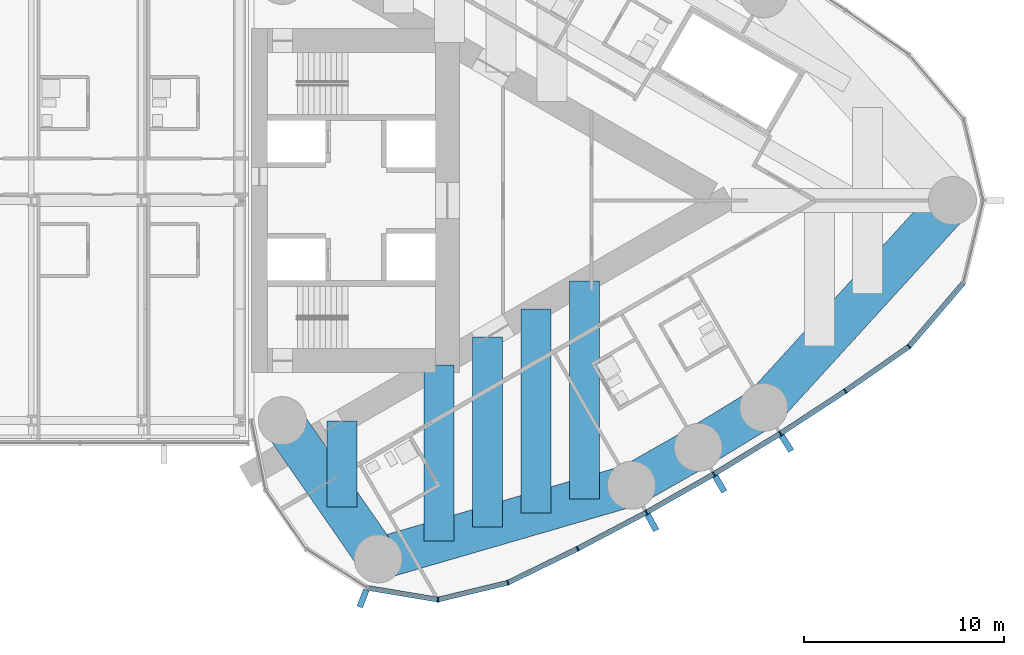
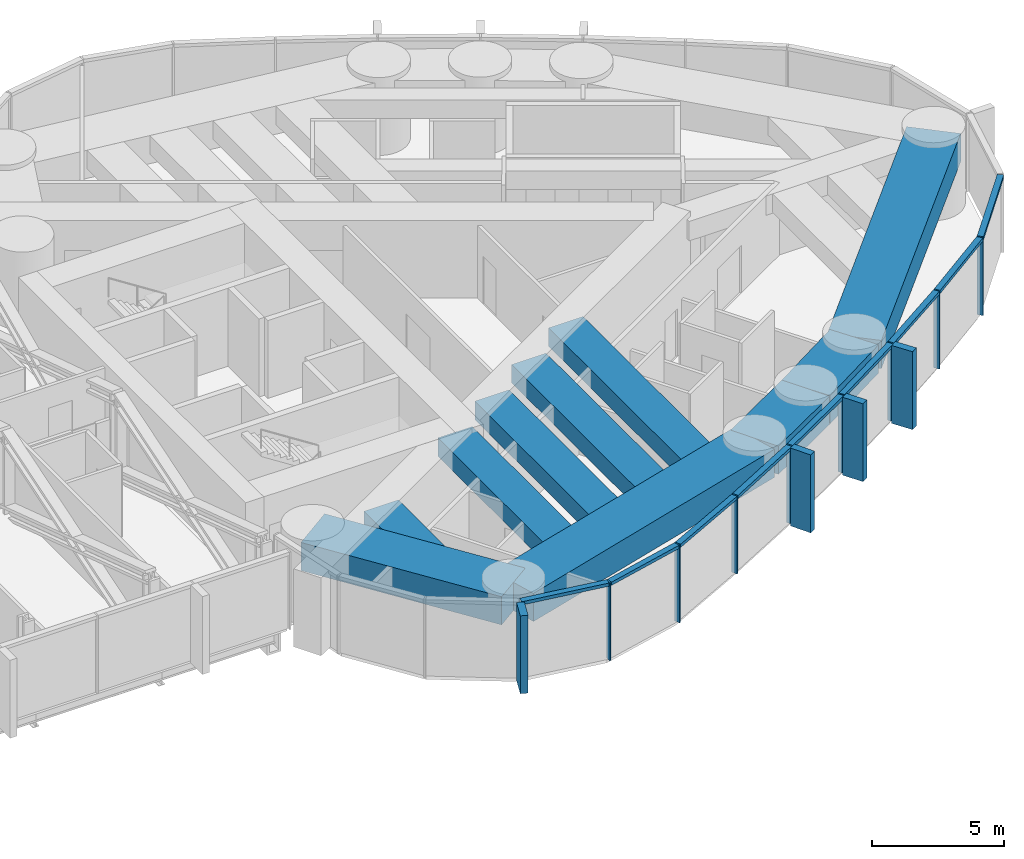
# One storey, part 9 of 24: 21 members, 10 beams, 1 element without a shape of its own.
"""IFC4 building model written with IfcOpenShell, lengths in metres."""

import ifcopenshell
import ifcopenshell.guid

model = None  # the IFC model being written
_history = None  # IfcOwnerHistory: only IFC2X3 demands one
_inside = {}  # id of a spatial element -> (the spatial element, [elements in it])
_under = {}  # id of a project, library or spatial element -> (it, [spatial elements below it])
_declared = {}  # id of a project -> (the project, [libraries it declares])
_typed = {}  # id of a type object -> (the type object, [elements of that type])
_made_of = {}  # id of a material, layer set ... -> (it, [elements and type objects made of it])


def new_model(schema):
    """Start an empty IFC model of exactly this schema.

    Asked for "IFC4X3", IfcOpenShell would pick the latest addendum, in which some entities
    have other attributes; the version numbers below select the first issue.
    IFC2X3 requires an IfcOwnerHistory on every rooted entity: one is made here for all.
    """
    global model, _history
    if schema == "IFC4X3":
        model = ifcopenshell.file(schema_version=(4, 3, 0, 0))
    else:
        model = ifcopenshell.file(schema=schema)
    _inside.clear()
    _under.clear()
    _declared.clear()
    _typed.clear()
    _made_of.clear()
    _history = None
    if model.schema == "IFC2X3":
        org = make("IfcOrganization", Name="unknown")
        user = make(
            "IfcPersonAndOrganization",
            ThePerson=make("IfcPerson", FamilyName="unknown"),
            TheOrganization=org,
        )
        app = make(
            "IfcApplication",
            ApplicationDeveloper=org,
            Version="unknown",
            ApplicationFullName="unknown",
            ApplicationIdentifier="unknown",
        )
        _history = make(
            "IfcOwnerHistory",
            OwningUser=user,
            OwningApplication=app,
            ChangeAction="ADDED",
            CreationDate=0,
        )
    return model


def make(cls, **values):
    """One entity of the class cls with the attributes given. An attribute that is None is left unset."""
    return model.create_entity(
        cls, **{name: value for name, value in values.items() if value is not None}
    )


def rooted(cls, **values):
    """An entity with a GlobalId (a new one), such as an element, a storey or a relation."""
    return make(cls, GlobalId=ifcopenshell.guid.new(), OwnerHistory=_history, **values)


def si_unit(unit_type, name, prefix=None):
    """IfcSIUnit, for example si_unit("LENGTHUNIT", "METRE", prefix="MILLI")."""
    return make("IfcSIUnit", UnitType=unit_type, Prefix=prefix, Name=name)


def assignment(units):
    """IfcUnitAssignment: the units of a project."""
    return None if units is None else make("IfcUnitAssignment", Units=units)


def point(xyz):
    """IfcCartesianPoint."""
    return None if xyz is None else make("IfcCartesianPoint", Coordinates=xyz)


def direction(xyz):
    """IfcDirection."""
    return None if xyz is None else make("IfcDirection", DirectionRatios=xyz)


def frame(location, z_axis=None, x_axis=None):
    """IfcAxis2Placement3D, a coordinate frame: its origin and axes. An axis left out is left unset."""
    return make(
        "IfcAxis2Placement3D",
        Location=point(location),
        Axis=direction(z_axis),
        RefDirection=direction(x_axis),
    )


def frame_2d(location, x_axis=None):
    """IfcAxis2Placement2D, a coordinate frame in the plane: its origin and x axis."""
    return make(
        "IfcAxis2Placement2D", Location=point(location), RefDirection=direction(x_axis)
    )


def origin():
    """The frame at (0, 0, 0) with its axes left unset."""
    return frame((0.0, 0.0, 0.0))


def origin_2d():
    """The frame at (0, 0) in the plane with its x axis left unset."""
    return frame_2d((0.0, 0.0))


def place(relative_to, where):
    """IfcLocalPlacement: puts the frame where relative to a parent placement (None: the world)."""
    return make(
        "IfcLocalPlacement", PlacementRelTo=relative_to, RelativePlacement=where
    )


def context(
    kind, dimensions, precision=None, world=None, true_north=None, identifier=None
):
    """IfcGeometricRepresentationContext, for example the 3D "Model" context."""
    return make(
        "IfcGeometricRepresentationContext",
        ContextIdentifier=identifier,
        ContextType=kind,
        CoordinateSpaceDimension=dimensions,
        Precision=precision,
        WorldCoordinateSystem=world,
        TrueNorth=true_north,
    )


def subcontext(parent, identifier, kind, view, scale=None):
    """IfcGeometricRepresentationSubContext, for example "Body" below "Model"."""
    return make(
        "IfcGeometricRepresentationSubContext",
        ContextIdentifier=identifier,
        ContextType=kind,
        ParentContext=parent,
        TargetScale=scale,
        TargetView=view,
    )


def project(units=None, contexts=None):
    """IfcProject with its units and contexts."""
    return rooted(
        "IfcProject",
        Name="project",
        RepresentationContexts=contexts,
        UnitsInContext=assignment(units),
    )


def spatial(cls, under=None, at=None, **own):
    """A site, building, storey or space (cls), placed at a placement, below another one or the project."""
    s = rooted(cls, ObjectPlacement=at, **own)
    if under is not None:
        _under.setdefault(under.id(), (under, []))[1].append(s)
    return s


def profile(cls, at=None, kind="AREA", **sizes):
    """A parametric profile (cls). Its sizes go by their IFC names, for example OverallWidth=200.0."""
    return make(cls, ProfileType=kind, Position=at, **sizes)


def rectangle(**sizes):
    """IfcRectangleProfileDef."""
    return profile("IfcRectangleProfileDef", **sizes)


def extrude(swept, where, along, depth):
    """IfcExtrudedAreaSolid: the profile swept, set in the frame where, extruded along a direction by depth."""
    return make(
        "IfcExtrudedAreaSolid",
        SweptArea=swept,
        Position=where,
        ExtrudedDirection=direction(along),
        Depth=depth,
    )


def shape(context_of_items, identifier, shape_type, items):
    """IfcShapeRepresentation: the items that make up one representation, for example the "Body"."""
    return make(
        "IfcShapeRepresentation",
        ContextOfItems=context_of_items,
        RepresentationIdentifier=identifier,
        RepresentationType=shape_type,
        Items=items,
    )


def material(Name=None, Category=None):
    """IfcMaterial."""
    return make("IfcMaterial", Name=Name, Category=Category)


def material_profile(
    of_material, cross_section, Name=None, Category=None, Priority=None
):
    """IfcMaterialProfile: a cross section and its material."""
    return make(
        "IfcMaterialProfile",
        Name=Name,
        Material=of_material,
        Profile=cross_section,
        Priority=Priority,
        Category=Category,
    )


def profile_set(profiles, Name=None, composite=None):
    """IfcMaterialProfileSet."""
    return make(
        "IfcMaterialProfileSet",
        Name=Name,
        MaterialProfiles=profiles,
        CompositeProfile=composite,
    )


def made_of(thing, what):
    """Note that an element or type object is made of a material, layer set ...; save() writes the relation."""
    if what is not None:
        _made_of.setdefault(what.id(), (what, []))[1].append(thing)
    return thing


def type_object(cls, material=None, **own):
    """A type object (cls), such as IfcWallType, which elements share."""
    return made_of(rooted(cls, **own), material)


def element(
    cls,
    number,
    at=None,
    inside=None,
    cuts=None,
    type_object=None,
    material=None,
    context=None,
    identifier="Body",
    shape_type=None,
    held_by="IfcProductDefinitionShape",
    body=None,
    shapes=None,
    **own,
):
    """One element of the class cls, such as IfcWall. Its Tag is "e" and its number.

    at: its placement. inside: the storey or other place that contains it. cuts: it is an
    opening in that element (IfcRelVoidsElement). A single representation is given by context,
    identifier, shape_type and body (its items); several are given by shapes. held_by: the class
    of the entity that holds the representations. save() writes the other relations.
    """
    e = rooted(cls, Tag="e%d" % number, ObjectPlacement=at, **own)
    if body is not None:
        shapes = [shape(context, identifier, shape_type, body)]
    if shapes is not None:
        e.Representation = make(held_by, Representations=shapes)
    if inside is not None:
        _inside.setdefault(inside.id(), (inside, []))[1].append(e)
    if cuts is not None:
        rooted(
            "IfcRelVoidsElement", RelatingBuildingElement=cuts, RelatedOpeningElement=e
        )
    if type_object is not None:
        _typed.setdefault(type_object.id(), (type_object, []))[1].append(e)
    return made_of(e, material)


def aggregate(whole, parts):
    """IfcRelAggregates: a whole, such as a stair, and the parts it consists of."""
    return rooted("IfcRelAggregates", RelatingObject=whole, RelatedObjects=parts)


def save(model, path):
    """Write the relations noted so far, then the file.

    IfcRelAggregates (storeys below a building ...), IfcRelContainedInSpatialStructure (elements
    in a storey), IfcRelDefinesByType, IfcRelAssociatesMaterial and IfcRelDeclares: one each for
    every whole, place, type object, material and project.
    """
    for whole, parts in _under.values():
        aggregate(whole, parts)
    for where, things in _inside.values():
        rooted(
            "IfcRelContainedInSpatialStructure",
            RelatedElements=things,
            RelatingStructure=where,
        )
    for kind, things in _typed.values():
        rooted("IfcRelDefinesByType", RelatedObjects=things, RelatingType=kind)
    for what, things in _made_of.values():
        rooted("IfcRelAssociatesMaterial", RelatedObjects=things, RelatingMaterial=what)
    for by, libraries in _declared.values():
        rooted("IfcRelDeclares", RelatingContext=by, RelatedDefinitions=libraries)
    model.write(path)


model = new_model("IFC4")

# Units and contexts
model_context = context("Model", 3, precision=1e-05, world=origin(), true_north=direction((0.0, 1.0)))
body_context = subcontext(model_context, "Body", "Model", "MODEL_VIEW")
ifc_project = project(units=[si_unit("LENGTHUNIT", "METRE"), si_unit("AREAUNIT", "SQUARE_METRE"), si_unit("VOLUMEUNIT", "CUBIC_METRE"), si_unit("PLANEANGLEUNIT", "RADIAN"), si_unit("MASSUNIT", "GRAM", prefix="KILO")], contexts=[model_context])

# Site, building, storey
site_placement = place(None, origin())
site = spatial("IfcSite", under=ifc_project, at=site_placement, CompositionType="ELEMENT")
building_placement = place(site_placement, origin())
building = spatial("IfcBuilding", under=site, at=building_placement, Name="Lancet Gate Hotel", CompositionType="ELEMENT")
storey_placement = place(building_placement, frame((0.0, 0.0, 244.10009765625)))
storey = spatial("IfcBuildingStorey", under=building, at=storey_placement, Name="L65", CompositionType="ELEMENT", Elevation=244.10009765625)

# Curtain wall, members
ifc_material_1 = material(Name="Aluminium curtain wall", Category="aluminium")
curtain_wall_type = type_object("IfcCurtainWallType", Name="Tower unitised curtain wall", PredefinedType="USERDEFINED", material=ifc_material_1)
curtain_wall_placement = place(storey_placement, origin())
curtain_wall = element("IfcCurtainWall", 1, at=curtain_wall_placement, inside=storey, type_object=curtain_wall_type, Name="T2 L65 curtain wall 1", ObjectType="UNITISED CURTAIN WALL", PredefinedType="USERDEFINED")
ifc_material_2 = material(Name="Aluminium mullion", Category="aluminium")
ifc_material_profile_1 = material_profile(ifc_material_2, rectangle(XDim=0.06494140625, YDim=0.25, at=origin_2d()), Name="MULLION 65x250")
ifc_profile_set_1 = profile_set([ifc_material_profile_1], Name="Aluminium mullion")
member_type_1 = type_object("IfcMemberType", Name="Aluminium mullion 65x250", PredefinedType="MULLION", material=ifc_profile_set_1)
member_1_placement = place(storey_placement, frame((36.826171875, -19.942138671875, 0.0), z_axis=(0.0, 0.0, 1.0), x_axis=(0.999342744911, 0.03625021647, 0.0)))
member_1 = element("IfcMember", 2, at=member_1_placement, type_object=member_type_1, Name="T2 L65 curtain wall 1 mullion 5", PredefinedType="MULLION", context=body_context, shape_type="SweptSolid", body=[
    extrude(rectangle(XDim=0.06494140625, YDim=0.25, at=origin_2d()), origin(), (0.0, 0.0, 1.0), 3.599853515625),
])
member_2_placement = place(storey_placement, frame((40.3173828125, -19.098388671875, 0.0), z_axis=(0.0, 0.0, 1.0), x_axis=(0.939483740419, 0.342593493061, 0.0)))
member_2 = element("IfcMember", 3, at=member_2_placement, type_object=member_type_1, Name="T2 L65 curtain wall 1 mullion 6", PredefinedType="MULLION", context=body_context, shape_type="SweptSolid", body=[
    extrude(rectangle(XDim=0.06494140625, YDim=0.25, at=origin_2d()), origin(), (0.0, 0.0, 1.0), 3.599853515625),
])
member_3_placement = place(storey_placement, frame((43.80810546875, -17.396240234375, 0.0), z_axis=(0.0, 0.0, 1.0), x_axis=(0.891832977257, 0.452364831389, 0.0)))
member_3 = element("IfcMember", 4, at=member_3_placement, type_object=member_type_1, Name="T2 L65 curtain wall 1 mullion 7", PredefinedType="MULLION", context=body_context, shape_type="SweptSolid", body=[
    extrude(rectangle(XDim=0.06494140625, YDim=0.25, at=origin_2d()), origin(), (0.0, 0.0, 1.0), 3.599853515625),
])
member_4_placement = place(storey_placement, frame((47.24365234375, -15.585205078125, 0.0), z_axis=(0.0, 0.0, 1.0), x_axis=(0.877194589488, 0.480135035352, 0.0)))
member_4 = element("IfcMember", 5, at=member_4_placement, type_object=member_type_1, Name="T2 L65 curtain wall 1 mullion 8", PredefinedType="MULLION", context=body_context, shape_type="SweptSolid", body=[
    extrude(rectangle(XDim=0.06494140625, YDim=0.25, at=origin_2d()), origin(), (0.0, 0.0, 1.0), 3.599853515625),
])
member_5_placement = place(storey_placement, frame((50.62060546875, -13.667236328125, 0.0), z_axis=(0.0, 0.0, 1.0), x_axis=(0.861691755738, 0.507432082247, 0.0)))
member_5 = element("IfcMember", 6, at=member_5_placement, type_object=member_type_1, Name="T2 L65 curtain wall 1 mullion 9", PredefinedType="MULLION", context=body_context, shape_type="SweptSolid", body=[
    extrude(rectangle(XDim=0.06494140625, YDim=0.25, at=origin_2d()), origin(), (0.0, 0.0, 1.0), 3.599853515625),
])
member_6_placement = place(storey_placement, frame((53.935791015625, -11.644287109375, 0.0), z_axis=(0.0, 0.0, 1.0), x_axis=(0.845339753513, 0.534229071777, 0.0)))
member_6 = element("IfcMember", 7, at=member_6_placement, type_object=member_type_1, Name="T2 L65 curtain wall 1 mullion 10", PredefinedType="MULLION", context=body_context, shape_type="SweptSolid", body=[
    extrude(rectangle(XDim=0.06494140625, YDim=0.25, at=origin_2d()), origin(), (0.0, 0.0, 1.0), 3.599853515625),
])
member_7_placement = place(storey_placement, frame((57.185791015625, -9.518310546875, 0.0), z_axis=(0.0, 0.0, 1.0), x_axis=(0.828154697184, 0.560499596371, 0.0)))
member_7 = element("IfcMember", 8, at=member_7_placement, type_object=member_type_1, Name="T2 L65 curtain wall 1 mullion 11", PredefinedType="MULLION", context=body_context, shape_type="SweptSolid", body=[
    extrude(rectangle(XDim=0.06494140625, YDim=0.25, at=origin_2d()), origin(), (0.0, 0.0, 1.0), 3.599853515625),
])
member_8_placement = place(storey_placement, frame((60.367431640625, -7.291259765625, 0.0), z_axis=(0.0, 0.0, 1.0), x_axis=(0.737323173512, 0.675540182226, 0.0)))
member_8 = element("IfcMember", 9, at=member_8_placement, type_object=member_type_1, Name="T2 L65 curtain wall 1 mullion 12", PredefinedType="MULLION", context=body_context, shape_type="SweptSolid", body=[
    extrude(rectangle(XDim=0.06494140625, YDim=0.25, at=origin_2d()), origin(), (0.0, 0.0, 1.0), 3.599853515625),
])
ifc_material_3 = material(Name="Aluminium transom", Category="aluminium")
ifc_material_profile_2 = material_profile(ifc_material_3, rectangle(XDim=0.25, YDim=0.14990234375, at=origin_2d()), Name="TRANSOM 250x150")
ifc_profile_set_2 = profile_set([ifc_material_profile_2], Name="Aluminium transom")
member_type_2 = type_object("IfcMemberType", Name="Aluminium transom 250x150", PredefinedType="USERDEFINED", material=ifc_profile_set_2)
member_9_placement = place(storey_placement, frame((33.315185546875, -19.35888671875, 3.52490234375), z_axis=(0.986483584545, -0.163860115412, 0.0), x_axis=(0.163860115412, 0.986483584545, 0.0)))
member_9 = element("IfcMember", 10, at=member_9_placement, type_object=member_type_2, Name="T2 L65 curtain wall 1 transom 4", ObjectType="TRANSOM", PredefinedType="USERDEFINED", context=body_context, shape_type="SweptSolid", body=[
    extrude(rectangle(XDim=0.25, YDim=0.14990234375, at=origin_2d()), origin(), (0.0, 0.0, 1.0), 3.526611328125),
])
member_10_placement = place(storey_placement, frame((36.85791015625, -19.9345703125, 3.52490234375), z_axis=(0.972002653858, 0.234969872307, 0.0), x_axis=(-0.234969872307, 0.972002653858, 0.0)))
member_10 = element("IfcMember", 11, at=member_10_placement, type_object=member_type_2, Name="T2 L65 curtain wall 1 transom 5", ObjectType="TRANSOM", PredefinedType="USERDEFINED", context=body_context, shape_type="SweptSolid", body=[
    extrude(rectangle(XDim=0.25, YDim=0.14990234375, at=origin_2d()), origin(), (0.0, 0.0, 1.0), 3.5263671875),
])
member_11_placement = place(storey_placement, frame((40.346435546875, -19.084228515625, 3.52490234375), z_axis=(0.898820051991, 0.438317823206, 0.0), x_axis=(-0.438317823206, 0.898820051991, 0.0)))
member_11 = element("IfcMember", 12, at=member_11_placement, type_object=member_type_2, Name="T2 L65 curtain wall 1 transom 6", ObjectType="TRANSOM", PredefinedType="USERDEFINED", context=body_context, shape_type="SweptSolid", body=[
    extrude(rectangle(XDim=0.25, YDim=0.14990234375, at=origin_2d()), origin(), (0.0, 0.0, 1.0), 3.81884765625),
])
member_12_placement = place(storey_placement, frame((43.836669921875, -17.381103515625, 3.52490234375), z_axis=(0.884618491031, 0.466315478325, 0.0), x_axis=(-0.466315478325, 0.884618491031, 0.0)))
member_12 = element("IfcMember", 13, at=member_12_placement, type_object=member_type_2, Name="T2 L65 curtain wall 1 transom 7", ObjectType="TRANSOM", PredefinedType="USERDEFINED", context=body_context, shape_type="SweptSolid", body=[
    extrude(rectangle(XDim=0.25, YDim=0.14990234375, at=origin_2d()), origin(), (0.0, 0.0, 1.0), 3.81884765625),
])
member_13_placement = place(storey_placement, frame((47.271728515625, -15.569091796875, 3.52490234375), z_axis=(0.869562011924, 0.493823761496, 0.0), x_axis=(-0.493823761496, 0.869562011924, 0.0)))
member_13 = element("IfcMember", 14, at=member_13_placement, type_object=member_type_2, Name="T2 L65 curtain wall 1 transom 8", ObjectType="TRANSOM", PredefinedType="USERDEFINED", context=body_context, shape_type="SweptSolid", body=[
    extrude(rectangle(XDim=0.25, YDim=0.14990234375, at=origin_2d()), origin(), (0.0, 0.0, 1.0), 3.818603515625),
])
member_14_placement = place(storey_placement, frame((50.648193359375, -13.650390625, 3.52490234375), z_axis=(0.853638798527, 0.520865435261, 0.0), x_axis=(-0.520865435261, 0.853638798527, 0.0)))
member_14 = element("IfcMember", 15, at=member_14_placement, type_object=member_type_2, Name="T2 L65 curtain wall 1 transom 9", ObjectType="TRANSOM", PredefinedType="USERDEFINED", context=body_context, shape_type="SweptSolid", body=[
    extrude(rectangle(XDim=0.25, YDim=0.14990234375, at=origin_2d()), origin(), (0.0, 0.0, 1.0), 3.818603515625),
])
member_15_placement = place(storey_placement, frame((53.962890625, -11.62646484375, 3.52490234375), z_axis=(0.836858089593, 0.547419891749, 0.0), x_axis=(-0.547419891749, 0.836858089593, 0.0)))
member_15 = element("IfcMember", 16, at=member_15_placement, type_object=member_type_2, Name="T2 L65 curtain wall 1 transom 10", ObjectType="TRANSOM", PredefinedType="USERDEFINED", context=body_context, shape_type="SweptSolid", body=[
    extrude(rectangle(XDim=0.25, YDim=0.14990234375, at=origin_2d()), origin(), (0.0, 0.0, 1.0), 3.818603515625),
])
member_16_placement = place(storey_placement, frame((57.21240234375, -9.499755859375, 3.52490234375), z_axis=(0.819255948852, 0.573428016642, 0.0), x_axis=(-0.573428016642, 0.819255948852, 0.0)))
member_16 = element("IfcMember", 17, at=member_16_placement, type_object=member_type_2, Name="T2 L65 curtain wall 1 transom 11", ObjectType="TRANSOM", PredefinedType="USERDEFINED", context=body_context, shape_type="SweptSolid", body=[
    extrude(rectangle(XDim=0.25, YDim=0.14990234375, at=origin_2d()), origin(), (0.0, 0.0, 1.0), 3.818603515625),
])
member_17_placement = place(storey_placement, frame((60.388427734375, -7.2666015625, 3.52490234375), z_axis=(0.650592500186, 0.759427019997, 0.0), x_axis=(-0.759427019997, 0.650592500186, 0.0)))
member_17 = element("IfcMember", 18, at=member_17_placement, type_object=member_type_2, Name="T2 L65 curtain wall 1 transom 12", ObjectType="TRANSOM", PredefinedType="USERDEFINED", context=body_context, shape_type="SweptSolid", body=[
    extrude(rectangle(XDim=0.25, YDim=0.14990234375, at=origin_2d()), origin(), (0.0, 0.0, 1.0), 4.1455078125),
])

# Beams
ifc_material_4 = material(Name="Concrete C50/60", Category="concrete")
ifc_material_profile_3 = material_profile(ifc_material_4, rectangle(XDim=2.10009765625, YDim=1.300048828125, at=origin_2d()), Name="RC 2100x1300")
ifc_profile_set_3 = profile_set([ifc_material_profile_3], Name="Concrete C50/60")
beam_type_1 = type_object("IfcBeamType", Name="Edge beam RC 2100x1300", PredefinedType="SPANDREL", material=ifc_profile_set_3)
beam_1_placement = place(storey_placement, frame((33.837158203125, -17.906005859375, 2.699951171875), z_axis=(0.960258384252, 0.279112585659, 0.0), x_axis=(-0.279112585659, 0.960258384252, 0.0)))
element("IfcBeam", 19, at=beam_1_placement, inside=storey, type_object=beam_type_1, Name="T2 edge beam EB1 L65", PredefinedType="SPANDREL", context=body_context, shape_type="SweptSolid", body=[
    extrude(rectangle(XDim=2.10009765625, YDim=1.300048828125, at=origin_2d()), origin(), (0.0, 0.0, 1.0), 13.18603515625),
])
beam_2_placement = place(storey_placement, frame((46.499267578125, -14.2255859375, 2.699951171875), z_axis=(0.869560321562, 0.493826738001, 0.0), x_axis=(-0.493826738001, 0.869560321562, 0.0)))
element("IfcBeam", 20, at=beam_2_placement, inside=storey, type_object=beam_type_1, Name="T2 edge beam EB1 L65", PredefinedType="SPANDREL", context=body_context, shape_type="SweptSolid", body=[
    extrude(rectangle(XDim=2.10009765625, YDim=1.300048828125, at=origin_2d()), origin(), (0.0, 0.0, 1.0), 3.8349609375),
])
beam_3_placement = place(storey_placement, frame((49.833984375, -12.331787109375, 2.699951171875), z_axis=(0.853604257265, 0.520922040212, 0.0), x_axis=(-0.520922040212, 0.853604257265, 0.0)))
element("IfcBeam", 21, at=beam_3_placement, inside=storey, type_object=beam_type_1, Name="T2 edge beam EB1 L65", PredefinedType="SPANDREL", context=body_context, shape_type="SweptSolid", body=[
    extrude(rectangle(XDim=2.10009765625, YDim=1.300048828125, at=origin_2d()), origin(), (0.0, 0.0, 1.0), 3.835205078125),
])
beam_4_placement = place(storey_placement, frame((53.107666015625, -10.333984375, 2.699951171875), z_axis=(0.674209372947, 0.738540263919, 0.0), x_axis=(-0.738540263919, 0.674209372947, 0.0)))
element("IfcBeam", 22, at=beam_4_placement, inside=storey, type_object=beam_type_1, Name="T2 edge beam EB1 L65", PredefinedType="SPANDREL", context=body_context, shape_type="SweptSolid", body=[
    extrude(rectangle(XDim=2.10009765625, YDim=1.300048828125, at=origin_2d()), origin(), (0.0, 0.0, 1.0), 13.992431640625),
])
beam_5_placement = place(storey_placement, frame((33.837158203125, -17.906005859375, 2.699951171875), z_axis=(-0.569694852599, 0.821856298219, 0.0), x_axis=(-0.821856298219, -0.569694852599, 0.0)))
element("IfcBeam", 23, at=beam_5_placement, inside=storey, type_object=beam_type_1, Name="T2 edge beam EB1 L65", PredefinedType="SPANDREL", context=body_context, shape_type="SweptSolid", body=[
    extrude(rectangle(XDim=2.10009765625, YDim=1.300048828125, at=origin_2d()), origin(), (0.0, 0.0, 1.0), 8.40283203125),
])

# Member
ifc_material_5 = material(Name="Precast concrete C50/60", Category="concrete")
ifc_material_profile_4 = material_profile(ifc_material_5, rectangle(XDim=0.300048828125, YDim=0.89990234375, at=origin_2d()), Name="FIN 300x900")
ifc_profile_set_4 = profile_set([ifc_material_profile_4], Name="Precast concrete C50/60")
member_type_3 = type_object("IfcMemberType", Name="Exposed concrete fin 300x900", PredefinedType="USERDEFINED", material=ifc_profile_set_4)
member_18_placement = place(storey_placement, frame((33.07763671875, -19.890625, 0.0), z_axis=(0.0, 0.0, 1.0), x_axis=(0.93394321776, -0.357421412343, 0.0)))
member_18 = element("IfcMember", 24, at=member_18_placement, type_object=member_type_3, Name="T2 L65 curtain wall 1 fin 4", ObjectType="FIN", PredefinedType="USERDEFINED", context=body_context, shape_type="SweptSolid", body=[
    extrude(rectangle(XDim=0.300048828125, YDim=0.89990234375, at=origin_2d()), origin(), (0.0, 0.0, 1.0), 3.599853515625),
])

member_19_placement = place(storey_placement, frame((47.51953125, -16.089599609375, 0.0), z_axis=(0.0, 0.0, 1.0), x_axis=(0.877194589488, 0.480135035352, 0.0)))
member_19 = element("IfcMember", 25, at=member_19_placement, type_object=member_type_3, Name="T2 L65 curtain wall 1 fin 8", ObjectType="FIN", PredefinedType="USERDEFINED", context=body_context, shape_type="SweptSolid", body=[
    extrude(rectangle(XDim=0.300048828125, YDim=0.89990234375, at=origin_2d()), origin(), (0.0, 0.0, 1.0), 3.599853515625),
])

member_20_placement = place(storey_placement, frame((50.912353515625, -14.162841796875, 0.0), z_axis=(0.0, 0.0, 1.0), x_axis=(0.861691755738, 0.507432082247, 0.0)))
member_20 = element("IfcMember", 26, at=member_20_placement, type_object=member_type_3, Name="T2 L65 curtain wall 1 fin 9", ObjectType="FIN", PredefinedType="USERDEFINED", context=body_context, shape_type="SweptSolid", body=[
    extrude(rectangle(XDim=0.300048828125, YDim=0.89990234375, at=origin_2d()), origin(), (0.0, 0.0, 1.0), 3.599853515625),
])

member_21_placement = place(storey_placement, frame((54.242919921875, -12.13037109375, 0.0), z_axis=(0.0, 0.0, 1.0), x_axis=(0.845339753513, 0.534229071777, 0.0)))
member_21 = element("IfcMember", 27, at=member_21_placement, type_object=member_type_3, Name="T2 L65 curtain wall 1 fin 10", ObjectType="FIN", PredefinedType="USERDEFINED", context=body_context, shape_type="SweptSolid", body=[
    extrude(rectangle(XDim=0.300048828125, YDim=0.89990234375, at=origin_2d()), origin(), (0.0, 0.0, 1.0), 3.599853515625),
])

aggregate(curtain_wall, [member_18, member_1, member_2, member_3, member_4, member_19, member_5, member_20, member_6, member_21, member_7, member_8, member_9, member_10, member_11, member_12, member_13, member_14, member_15, member_16, member_17])

# Beams
ifc_material_6 = material(Name="Concrete C50/60", Category="concrete")
ifc_material_profile_5 = material_profile(ifc_material_6, rectangle(XDim=1.5, YDim=0.85009765625, at=origin_2d()), Name="RC 1500x850")
ifc_profile_set_5 = profile_set([ifc_material_profile_5], Name="Concrete C50/60")
beam_type_2 = type_object("IfcBeamType", Name="Floor beam RC 1500x850", PredefinedType="BEAM", material=ifc_profile_set_5)
beam_6_placement = place(storey_placement, frame((32.04052734375, -15.31396484375, 2.9248046875), z_axis=(0.0, 1.0, 0.0), x_axis=(-1.0, 0.0, 0.0)))
element("IfcBeam", 28, at=beam_6_placement, inside=storey, type_object=beam_type_2, Name="T2 floor beam F01S L65", PredefinedType="BEAM", context=body_context, shape_type="SweptSolid", body=[
    extrude(rectangle(XDim=1.5, YDim=0.85009765625, at=origin_2d()), origin(), (0.0, 0.0, 1.0), 4.30859375),
])
beam_7_placement = place(storey_placement, frame((36.880859375, -17.021240234375, 2.9248046875), z_axis=(0.0, 1.0, 0.0), x_axis=(-1.0, 0.0, 0.0)))
element("IfcBeam", 29, at=beam_7_placement, inside=storey, type_object=beam_type_2, Name="T2 floor beam F03S L65", PredefinedType="BEAM", context=body_context, shape_type="SweptSolid", body=[
    extrude(rectangle(XDim=1.5, YDim=0.85009765625, at=origin_2d()), origin(), (0.0, 0.0, 1.0), 8.810546875),
])
beam_8_placement = place(storey_placement, frame((39.301025390625, -16.31787109375, 2.9248046875), z_axis=(0.0, 1.0, 0.0), x_axis=(-1.0, 0.0, 0.0)))
element("IfcBeam", 30, at=beam_8_placement, inside=storey, type_object=beam_type_2, Name="T2 floor beam F05S L65", PredefinedType="BEAM", context=body_context, shape_type="SweptSolid", body=[
    extrude(rectangle(XDim=1.5, YDim=0.85009765625, at=origin_2d()), origin(), (0.0, 0.0, 1.0), 9.50439453125),
])
beam_9_placement = place(storey_placement, frame((41.721435546875, -15.6142578125, 2.9248046875), z_axis=(0.0, 1.0, 0.0), x_axis=(-1.0, 0.0, 0.0)))
element("IfcBeam", 31, at=beam_9_placement, inside=storey, type_object=beam_type_2, Name="T2 floor beam F07S L65", PredefinedType="BEAM", context=body_context, shape_type="SweptSolid", body=[
    extrude(rectangle(XDim=1.5, YDim=0.85009765625, at=origin_2d()), origin(), (0.0, 0.0, 1.0), 10.1982421875),
])
beam_10_placement = place(storey_placement, frame((44.1416015625, -14.910888671875, 2.9248046875), z_axis=(0.0, 1.0, 0.0), x_axis=(-1.0, 0.0, 0.0)))
element("IfcBeam", 32, at=beam_10_placement, inside=storey, type_object=beam_type_2, Name="T2 floor beam F09S L65", PredefinedType="BEAM", context=body_context, shape_type="SweptSolid", body=[
    extrude(rectangle(XDim=1.5, YDim=0.85009765625, at=origin_2d()), origin(), (0.0, 0.0, 1.0), 10.89208984375),
])

save(model, "model.ifc")
